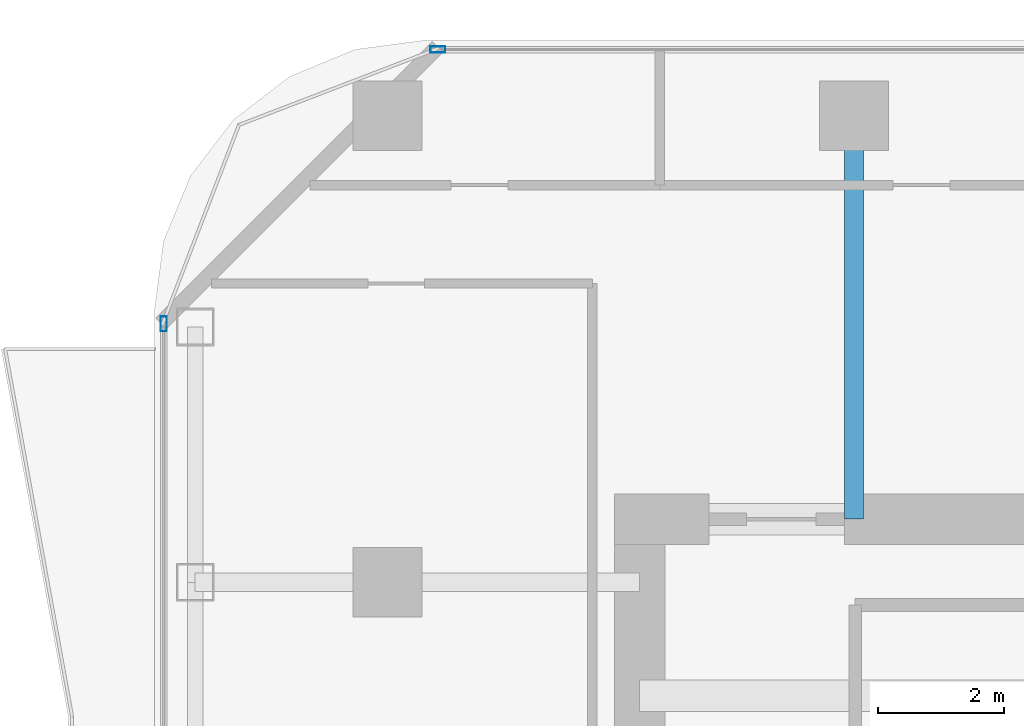
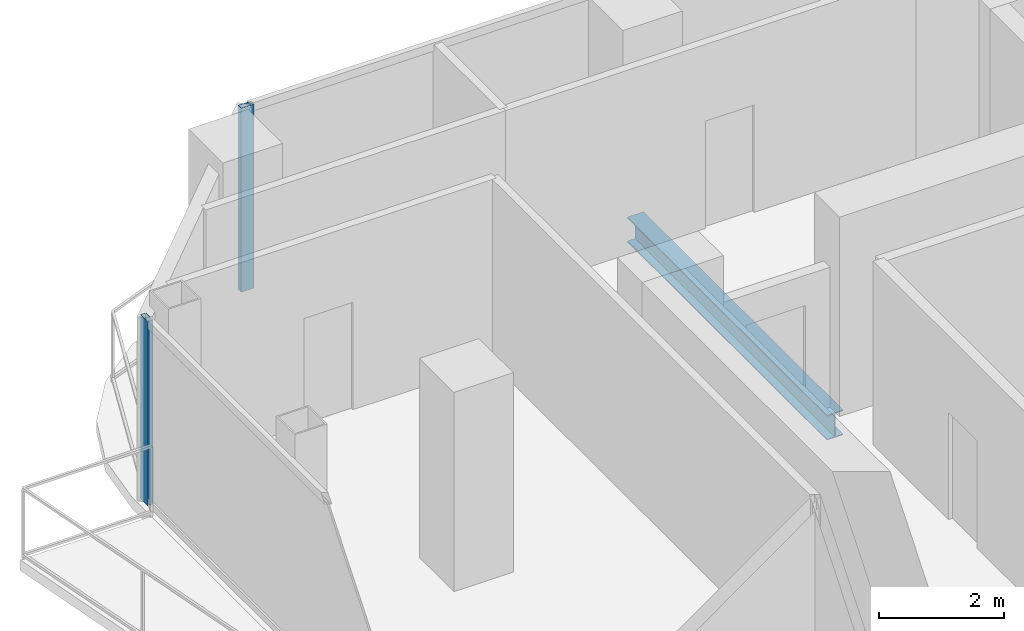
# One storey, part 13 of 27: 2 members, 1 beam, 2 elements without a shape of their own.
"""IFC4 building model written with IfcOpenShell, lengths in metres."""

from ifc_helpers import new_model, si_unit, direction, frame, origin, origin_2d, place, context, subcontext, project, spatial, hollow_rectangle, i_section, extrude, material, layer, layer_set, material_profile, profile_set, type_object, element, aggregate, save


model = new_model("IFC4")

# Units and contexts
model_context = context("Model", 3, precision=1e-05, world=origin(), true_north=direction((0.0, 1.0)))
body_context = subcontext(model_context, "Body", "Model", "MODEL_VIEW")
ifc_project = project(units=[si_unit("LENGTHUNIT", "METRE"), si_unit("AREAUNIT", "SQUARE_METRE"), si_unit("VOLUMEUNIT", "CUBIC_METRE"), si_unit("PLANEANGLEUNIT", "RADIAN"), si_unit("MASSUNIT", "GRAM", prefix="KILO")], contexts=[model_context])

# Site, building, storey
site_placement = place(None, origin())
site = spatial("IfcSite", under=ifc_project, at=site_placement, CompositionType="ELEMENT")
building_placement = place(site_placement, origin())
building = spatial("IfcBuilding", under=site, at=building_placement, Name="Khorvyn Point Tower", CompositionType="ELEMENT")
storey_placement = place(building_placement, frame((0.0, 0.0, 231.300048828125)))
storey = spatial("IfcBuildingStorey", under=building, at=storey_placement, Name="L57", CompositionType="ELEMENT", Elevation=231.300048828125)

# Curtain wall, member
ifc_material_1 = material(Name="Anodised aluminium 6063-T6 and laminated Low-E glass", Category="aluminium")
ifc_layer = layer(ifc_material_1, 0.18994140625)
ifc_layer_set = layer_set([ifc_layer], Name="Stick-Built Acoustic Curtain Wall CW-SYS-03")
curtain_wall_type = type_object("IfcCurtainWallType", Name="Stick-Built Acoustic Curtain Wall CW-SYS-03", PredefinedType="NOTDEFINED", material=ifc_layer_set)
curtain_wall_1_placement = place(storey_placement, origin())
curtain_wall_1 = element("IfcCurtainWall", 1, at=curtain_wall_1_placement, inside=storey, type_object=curtain_wall_type, Name="Curtain Wall", PredefinedType="NOTDEFINED")
ifc_material_2 = material(Name="Anodised aluminium 6063-T6", Category="aluminium")
ifc_material_profile_1 = material_profile(ifc_material_2, hollow_rectangle(XDim=0.10009765625, YDim=0.239990234375, WallThickness=0.0048828125, at=origin_2d()))
ifc_profile_set_1 = profile_set([ifc_material_profile_1], Name="Anodised aluminium 6063-T6 ALU-MUL-100x240")
member_type = type_object("IfcMemberType", Name="Anodised Aluminium 6063-T6 Mullion ALU-MUL-100x240", PredefinedType="MULLION", material=ifc_profile_set_1)
member_1_placement = place(storey_placement, frame((-14.0, 15.85009765625, 0.0), z_axis=(0.0, 0.0, 1.0), x_axis=(0.0, 1.0, 0.0)))
member_1 = element("IfcMember", 2, at=member_1_placement, type_object=member_type, Name="Transom", PredefinedType="MULLION", context=body_context, shape_type="SweptSolid", body=[
    extrude(hollow_rectangle(XDim=0.10009765625, YDim=0.239990234375, WallThickness=0.0048828125, at=origin_2d()), origin(), (0.0, 0.0, 1.0), 3.599853515625),
])
aggregate(curtain_wall_1, [member_1])

curtain_wall_2_placement = place(storey_placement, origin())
curtain_wall_2 = element("IfcCurtainWall", 3, at=curtain_wall_2_placement, inside=storey, type_object=curtain_wall_type, Name="Curtain Wall", PredefinedType="NOTDEFINED")
member_2_placement = place(storey_placement, frame((-18.35009765625, 11.5, 0.0), z_axis=(0.0, 0.0, 1.0), x_axis=(-1.0, 0.0, 0.0)))
member_2 = element("IfcMember", 4, at=member_2_placement, type_object=member_type, Name="Transom", PredefinedType="MULLION", context=body_context, shape_type="SweptSolid", body=[
    extrude(hollow_rectangle(XDim=0.10009765625, YDim=0.239990234375, WallThickness=0.0048828125, at=origin_2d()), origin(), (0.0, 0.0, 1.0), 3.599853515625),
])
aggregate(curtain_wall_2, [member_2])

# Beam
ifc_material_3 = material(Name="Steel S355", Category="steel")
ifc_material_profile_2 = material_profile(ifc_material_3, i_section(OverallWidth=0.300048828125, OverallDepth=0.488037109375, WebThickness=0.010986328125, FlangeThickness=0.01806640625, at=origin_2d()))
ifc_profile_set_2 = profile_set([ifc_material_profile_2], Name="Steel S355 H488x300x11x18")
beam_type = type_object("IfcBeamType", Name="Steel S355 Spandrel H488x300x11x18", PredefinedType="SPANDREL", material=ifc_profile_set_2)
beam_placement = place(storey_placement, frame((-7.39990234375, 8.39990234375, -0.464111328125), z_axis=(0.0, 1.0, 0.0), x_axis=(-1.0, 0.0, 0.0)))
element("IfcBeam", 5, at=beam_placement, inside=storey, type_object=beam_type, Name="Beam", PredefinedType="SPANDREL", context=body_context, shape_type="SweptSolid", body=[
    extrude(i_section(OverallWidth=0.300048828125, OverallDepth=0.488037109375, WebThickness=0.010986328125, FlangeThickness=0.01806640625, at=origin_2d()), origin(), (0.0, 0.0, 1.0), 6.400146484375),
])

save(model, "model.ifc")
